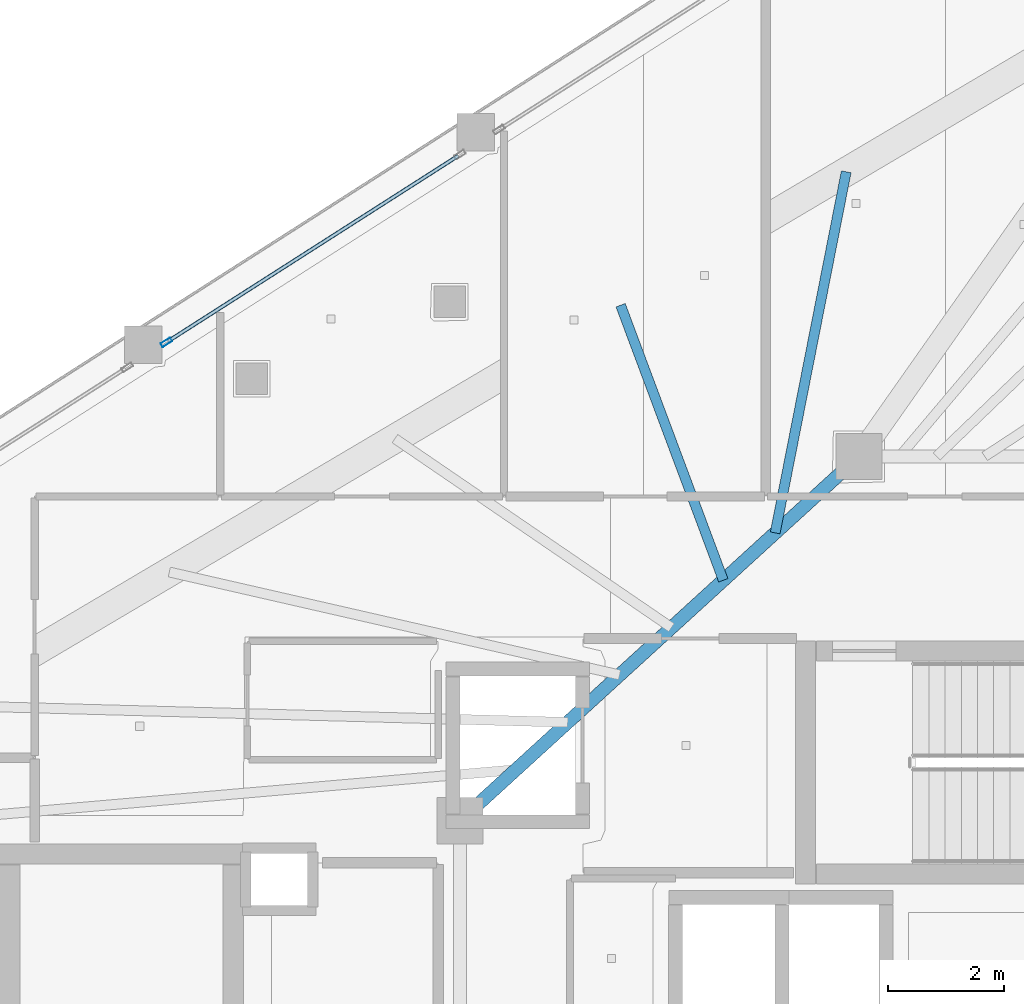
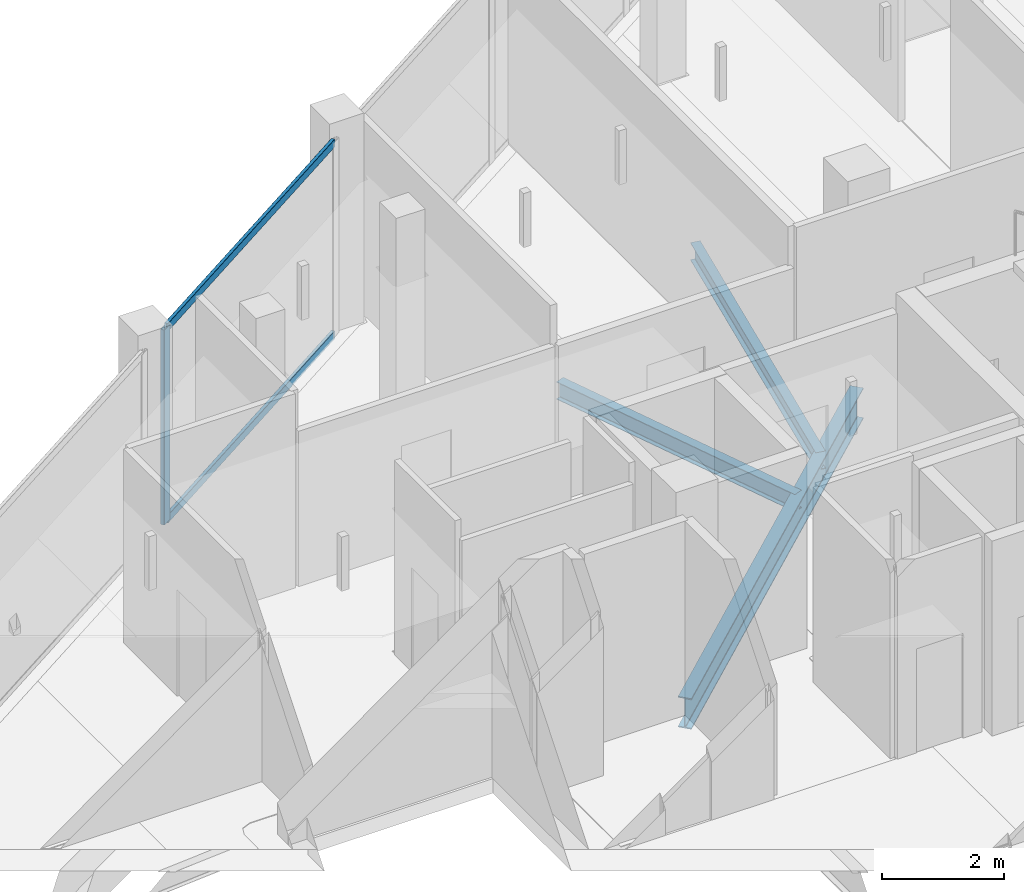
# One storey, part 17 of 33: 3 beams, 3 members, 1 element without a shape of its own.
"""IFC4 building model written with IfcOpenShell, lengths in metres."""

from ifc_helpers import new_model, si_unit, direction, frame, origin, origin_2d, place, context, subcontext, project, spatial, hollow_rectangle, i_section, extrude, material, layer, layer_set, material_profile, profile_set, type_object, element, aggregate, save


model = new_model("IFC4")

# Units and contexts
model_context = context("Model", 3, precision=1e-05, world=origin(), true_north=direction((0.0, 1.0)))
body_context = subcontext(model_context, "Body", "Model", "MODEL_VIEW")
ifc_project = project(units=[si_unit("LENGTHUNIT", "METRE"), si_unit("AREAUNIT", "SQUARE_METRE"), si_unit("VOLUMEUNIT", "CUBIC_METRE"), si_unit("PLANEANGLEUNIT", "RADIAN"), si_unit("MASSUNIT", "GRAM", prefix="KILO")], contexts=[model_context])

# Site, building, storey
site_placement = place(None, origin())
site = spatial("IfcSite", under=ifc_project, at=site_placement, CompositionType="ELEMENT")
building_placement = place(site_placement, origin())
building = spatial("IfcBuilding", under=site, at=building_placement, Name="Qorvath Tower", CompositionType="ELEMENT")
storey_placement = place(building_placement, frame((0.0, 0.0, 280.800048828125)))
storey = spatial("IfcBuildingStorey", under=building, at=storey_placement, Name="L65", CompositionType="ELEMENT", Elevation=280.800048828125)

# Beams
ifc_material_1 = material(Name="Steel ASTM A992 Grade 50", Category="steel")
ifc_material_profile_1 = material_profile(ifc_material_1, i_section(OverallWidth=0.22998046875, OverallDepth=0.616943359375, WebThickness=0.01318359375, FlangeThickness=0.022216796875, FilletRadius=0.014892578125, at=origin_2d()), Name="W24x94")
ifc_profile_set_1 = profile_set([ifc_material_profile_1], Name="Steel ASTM A992 Grade 50")
beam_type_1 = type_object("IfcBeamType", Name="BM-FG6", PredefinedType="BEAM", material=ifc_profile_set_1)
beam_1_placement = place(storey_placement, frame((-30.5, 5.14990234375, -0.5986328125), z_axis=(0.73847813985, 0.6742774184, 0.0), x_axis=(-0.6742774184, 0.73847813985, 0.0)))
element("IfcBeam", 1, at=beam_1_placement, inside=storey, type_object=beam_type_1, Name="Core Ring Girder CC5-CC1 L65", PredefinedType="BEAM", context=body_context, shape_type="SweptSolid", body=[
    extrude(i_section(OverallWidth=0.22998046875, OverallDepth=0.616943359375, WebThickness=0.01318359375, FlangeThickness=0.022216796875, FilletRadius=0.014892578125, at=origin_2d()), origin(), (0.0, 0.0, 1.0), 9.343505859375),
])
ifc_material_2 = material(Name="Steel ASTM A992 Grade 50", Category="steel")
ifc_material_profile_2 = material_profile(ifc_material_2, i_section(OverallWidth=0.1708984375, OverallDepth=0.35107421875, WebThickness=0.0068359375, FlangeThickness=0.009765625, FilletRadius=0.010009765625, at=origin_2d()), Name="W14x30")
ifc_profile_set_2 = profile_set([ifc_material_profile_2], Name="Steel ASTM A992 Grade 50")
beam_type_2 = type_object("IfcBeamType", Name="BM-FJ4", PredefinedType="JOIST", material=ifc_profile_set_2)
beam_2_placement = place(storey_placement, frame((-25.946044921875, 9.30810546875, -0.465576171875), z_axis=(-0.349858795354, 0.936802446257, 0.0), x_axis=(-0.936802446257, -0.349858795354, 0.0)))
element("IfcBeam", 2, at=beam_2_placement, inside=storey, type_object=beam_type_2, Name="Composite Floor Joist NW5 L65", PredefinedType="JOIST", context=body_context, shape_type="SweptSolid", body=[
    extrude(i_section(OverallWidth=0.1708984375, OverallDepth=0.35107421875, WebThickness=0.0068359375, FlangeThickness=0.009765625, FilletRadius=0.010009765625, at=origin_2d()), origin(), (0.0, 0.0, 1.0), 5.078857421875),
])
beam_3_placement = place(storey_placement, frame((-25.049072265625, 10.126953125, -0.465576171875), z_axis=(0.193040016911, 0.981190884523, 0.0), x_axis=(-0.981190884523, 0.193040016911, 0.0)))
element("IfcBeam", 3, at=beam_3_placement, inside=storey, type_object=beam_type_2, Name="Composite Floor Joist NW6 L65", PredefinedType="JOIST", context=body_context, shape_type="SweptSolid", body=[
    extrude(i_section(OverallWidth=0.1708984375, OverallDepth=0.35107421875, WebThickness=0.0068359375, FlangeThickness=0.009765625, FilletRadius=0.010009765625, at=origin_2d()), origin(), (0.0, 0.0, 1.0), 6.366455078125),
])

# Curtain wall, members
ifc_material_3 = material(Name="Anodised aluminium and triple low-E glass", Category="aluminium")
ifc_layer = layer(ifc_material_3, 0.179931640625)
ifc_layer_set = layer_set([ifc_layer], Name="CW-SYS-4")
curtain_wall_type = type_object("IfcCurtainWallType", Name="CW-SYS-4", PredefinedType="NOTDEFINED", material=ifc_layer_set)
curtain_wall_placement = place(storey_placement, origin())
curtain_wall = element("IfcCurtainWall", 4, at=curtain_wall_placement, inside=storey, type_object=curtain_wall_type, Name="Curtain Wall CW-4 CW-T-L65-16.2", PredefinedType="NOTDEFINED")
ifc_material_4 = material(Name="Anodised aluminium 6063-T6", Category="aluminium")
ifc_material_profile_3 = material_profile(ifc_material_4, hollow_rectangle(XDim=0.074951171875, YDim=0.199951171875, WallThickness=0.00390625, InnerFilletRadius=0.00390625, OuterFilletRadius=0.008056640625, at=origin_2d()), Name="CWM 200x75")
ifc_profile_set_3 = profile_set([ifc_material_profile_3], Name="Anodised aluminium 6063-T6")
member_type_1 = type_object("IfcMemberType", Name="CWM-200", PredefinedType="MULLION", material=ifc_profile_set_3)
member_1_placement = place(storey_placement, frame((-35.5791015625, 13.424072265625, 0.0), z_axis=(0.0, 0.0, 1.0), x_axis=(0.538556416763, -0.842589452796, 0.0)))
member_1 = element("IfcMember", 5, at=member_1_placement, type_object=member_type_1, Name="CW-4 mullion 2", PredefinedType="MULLION", context=body_context, shape_type="SweptSolid", body=[
    extrude(hollow_rectangle(XDim=0.074951171875, YDim=0.199951171875, WallThickness=0.00390625, InnerFilletRadius=0.00390625, OuterFilletRadius=0.008056640625, at=origin_2d()), origin(), (0.0, 0.0, 1.0), 3.909912109375),
])
ifc_material_5 = material(Name="Anodised aluminium 6063-T6", Category="aluminium")
ifc_material_profile_4 = material_profile(ifc_material_5, hollow_rectangle(XDim=0.06494140625, YDim=0.159912109375, WallThickness=0.00341796875, InnerFilletRadius=0.00341796875, OuterFilletRadius=0.007080078125, at=origin_2d()), Name="CWT 160x65")
ifc_profile_set_4 = profile_set([ifc_material_profile_4], Name="Anodised aluminium 6063-T6")
member_type_2 = type_object("IfcMemberType", Name="CWT-160", PredefinedType="USERDEFINED", material=ifc_profile_set_4)
member_2_placement = place(storey_placement, frame((-30.532958984375, 16.6494140625, 0.032470703125), z_axis=(-0.842568537, -0.538589138822, 0.0), x_axis=(0.538589138822, -0.842568537, 0.0)))
member_2 = element("IfcMember", 6, at=member_2_placement, type_object=member_type_2, Name="CW-4 transom 1.1", ObjectType="TRANSOM", PredefinedType="USERDEFINED", context=body_context, shape_type="SweptSolid", body=[
    extrude(hollow_rectangle(XDim=0.06494140625, YDim=0.159912109375, WallThickness=0.00341796875, InnerFilletRadius=0.00341796875, OuterFilletRadius=0.007080078125, at=origin_2d()), origin(), (0.0, 0.0, 1.0), 5.951416015625),
])
member_3_placement = place(storey_placement, frame((-30.532958984375, 16.6494140625, 3.87744140625), z_axis=(-0.842568537, -0.538589138822, 0.0), x_axis=(0.538589138822, -0.842568537, 0.0)))
member_3 = element("IfcMember", 7, at=member_3_placement, type_object=member_type_2, Name="CW-4 transom 1.2", ObjectType="TRANSOM", PredefinedType="USERDEFINED", context=body_context, shape_type="SweptSolid", body=[
    extrude(hollow_rectangle(XDim=0.06494140625, YDim=0.159912109375, WallThickness=0.00341796875, InnerFilletRadius=0.00341796875, OuterFilletRadius=0.007080078125, at=origin_2d()), origin(), (0.0, 0.0, 1.0), 5.951416015625),
])
aggregate(curtain_wall, [member_1, member_2, member_3])

save(model, "model.ifc")
